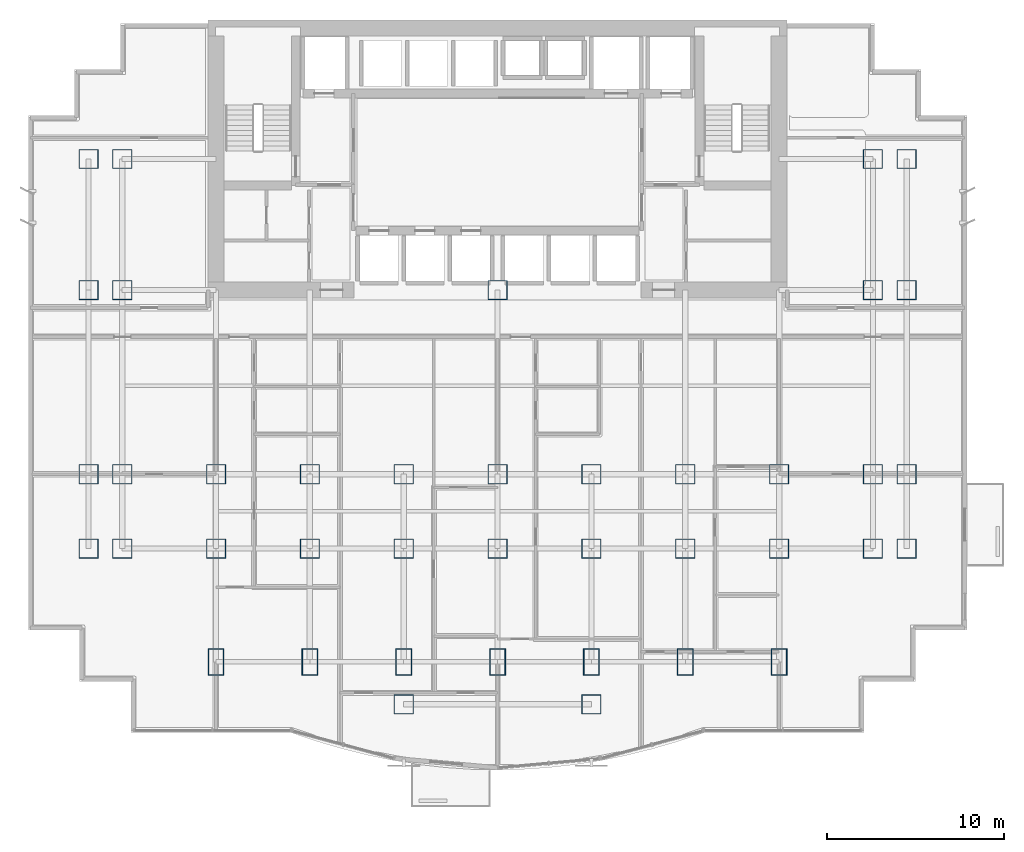
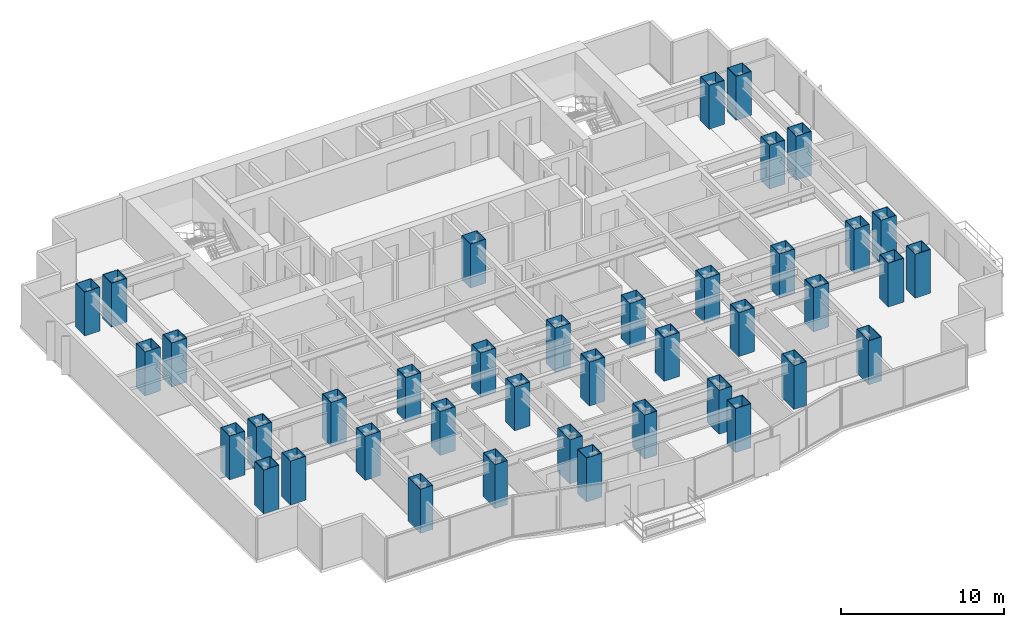
# One storey, part 1 of 10: 40 columns.
"""IFC4 building model written with IfcOpenShell, lengths in metres."""

from ifc_helpers import new_model, si_unit, direction, frame, origin, origin_2d, place, context, subcontext, project, spatial, hollow_rectangle, extrude, material, material_profile, profile_set, type_object, element, save


model = new_model("IFC4")

# Units and contexts
model_context = context("Model", 3, precision=1e-05, world=origin(), true_north=direction((0.0, 1.0)))
body_context = subcontext(model_context, "Body", "Model", "MODEL_VIEW")
ifc_project = project(units=[si_unit("LENGTHUNIT", "METRE"), si_unit("AREAUNIT", "SQUARE_METRE"), si_unit("VOLUMEUNIT", "CUBIC_METRE"), si_unit("PLANEANGLEUNIT", "RADIAN"), si_unit("MASSUNIT", "GRAM", prefix="KILO")], contexts=[model_context])

# Site, building, storey
site_placement = place(None, origin())
site = spatial("IfcSite", under=ifc_project, at=site_placement, CompositionType="ELEMENT")
building_placement = place(site_placement, origin())
building = spatial("IfcBuilding", under=site, at=building_placement, Name="Qianlan Lanfeng Residences", CompositionType="ELEMENT")
storey_placement = place(building_placement, frame((0.0, 0.0, 50.60009765625)))
storey = spatial("IfcBuildingStorey", under=building, at=storey_placement, Name="L13", CompositionType="ELEMENT", Elevation=50.60009765625)

# Columns
ifc_material = material(Name="Steel SN490B", Category="steel")
ifc_material_profile_1 = material_profile(ifc_material, hollow_rectangle(XDim=1.10009765625, YDim=1.10009765625, WallThickness=0.035888671875, at=origin_2d()), Name="BOX 1100x1100x36")
ifc_profile_set_1 = profile_set([ifc_material_profile_1], Name="Steel SN490B")
column_type_1 = type_object("IfcColumnType", Name="C-B1300", PredefinedType="COLUMN", material=ifc_profile_set_1)
for number, where, z_axis, x_axis, name in (
    (1, (26.5, 25.199951171875, 0.0), (0.0, 0.0, 1.0), (1.0, 0.0, 0.0), "L13 Structural Column CP_26.5_25.2"),
    (2, (10.60009765625, 14.800048828125, 0.0), (0.0, 0.0, 1.0), (1.0, 0.0, 0.0), "L13 Structural Column M_10.60_14.80"),
    (3, (10.60009765625, 10.60009765625, 0.0), (0.0, 0.0, 1.0), (1.0, 0.0, 0.0), "L13 Structural Column G_10.60_10.60"),
    (4, (15.89990234375, 14.800048828125, 0.0), (0.0, 0.0, 1.0), (1.0, 0.0, 0.0), "L13 Structural Column M_15.90_14.80"),
    (5, (15.89990234375, 10.60009765625, 0.0), (0.0, 0.0, 1.0), (1.0, 0.0, 0.0), "L13 Structural Column G_15.90_10.60"),
    (6, (21.199951171875, 14.800048828125, 0.0), (0.0, 0.0, 1.0), (1.0, 0.0, 0.0), "L13 Structural Column M_21.20_14.80"),
    (7, (21.199951171875, 10.60009765625, 0.0), (0.0, 0.0, 1.0), (1.0, 0.0, 0.0), "L13 Structural Column G_21.20_10.60"),
    (8, (26.5, 14.800048828125, 0.0), (0.0, 0.0, 1.0), (1.0, 0.0, 0.0), "L13 Structural Column M_26.50_14.80"),
    (9, (26.5, 10.60009765625, 0.0), (0.0, 0.0, 1.0), (1.0, 0.0, 0.0), "L13 Structural Column G_26.50_10.60"),
    (10, (31.800048828125, 14.800048828125, 0.0), (0.0, 0.0, 1.0), (1.0, 0.0, 0.0), "L13 Structural Column M_31.80_14.80"),
    (11, (31.800048828125, 10.60009765625, 0.0), (0.0, 0.0, 1.0), (1.0, 0.0, 0.0), "L13 Structural Column G_31.80_10.60"),
    (12, (37.10009765625, 14.800048828125, 0.0), (0.0, 0.0, 1.0), (1.0, 0.0, 0.0), "L13 Structural Column M_37.10_14.80"),
    (13, (37.10009765625, 10.60009765625, 0.0), (0.0, 0.0, 1.0), (1.0, 0.0, 0.0), "L13 Structural Column G_37.10_10.60"),
    (14, (42.39990234375, 14.800048828125, 0.0), (0.0, 0.0, 1.0), (1.0, 0.0, 0.0), "L13 Structural Column M_42.40_14.80"),
    (15, (42.39990234375, 10.60009765625, 0.0), (0.0, 0.0, 1.0), (1.0, 0.0, 0.0), "L13 Structural Column G_42.40_10.60"),
    (16, (21.199951171875, 1.800048828125, 0.0), (0.0, 0.0, 1.0), (1.0, 0.0, 0.0), "L13 Structural Column P_21.20_1.80"),
    (17, (31.800048828125, 1.800048828125, 0.0), (0.0, 0.0, 1.0), (1.0, 0.0, 0.0), "L13 Structural Column P_31.80_1.80"),
    (18, (3.39990234375, 10.60009765625, 0.0), (0.0, 0.0, 1.0), (1.0, 0.0, 0.0), "L13 Structural Column W_3.40_10.60"),
    (19, (3.39990234375, 14.800048828125, 0.0), (0.0, 0.0, 1.0), (1.0, 0.0, 0.0), "L13 Structural Column W_3.40_14.80"),
    (20, (3.39990234375, 25.199951171875, 0.0), (0.0, 0.0, 1.0), (1.0, 0.0, 0.0), "L13 Structural Column W_3.40_25.20"),
    (21, (3.39990234375, 32.60009765625, 0.0), (0.0, 0.0, 1.0), (1.0, 0.0, 0.0), "L13 Structural Column W_3.40_32.60"),
    (22, (5.300048828125, 10.60009765625, 0.0), (0.0, 0.0, 1.0), (1.0, 0.0, 0.0), "L13 Structural Column W_5.30_10.60"),
    (23, (5.300048828125, 14.800048828125, 0.0), (0.0, 0.0, 1.0), (1.0, 0.0, 0.0), "L13 Structural Column W_5.30_14.80"),
    (24, (5.300048828125, 25.199951171875, 0.0), (0.0, 0.0, 1.0), (1.0, 0.0, 0.0), "L13 Structural Column W_5.30_25.20"),
    (25, (5.300048828125, 32.60009765625, 0.0), (0.0, 0.0, 1.0), (1.0, 0.0, 0.0), "L13 Structural Column W_5.30_32.60"),
    (26, (47.699951171875, 10.60009765625, 0.0), (0.0, 0.0, 1.0), (1.0, 0.0, 0.0), "L13 Structural Column W_47.70_10.60"),
    (27, (47.699951171875, 14.800048828125, 0.0), (0.0, 0.0, 1.0), (1.0, 0.0, 0.0), "L13 Structural Column W_47.70_14.80"),
    (28, (47.699951171875, 25.199951171875, 0.0), (0.0, 0.0, 1.0), (1.0, 0.0, 0.0), "L13 Structural Column W_47.70_25.20"),
    (29, (47.699951171875, 32.60009765625, 0.0), (0.0, 0.0, 1.0), (1.0, 0.0, 0.0), "L13 Structural Column W_47.70_32.60"),
    (30, (49.60009765625, 10.60009765625, 0.0), (0.0, 0.0, 1.0), (1.0, 0.0, 0.0), "L13 Structural Column W_49.60_10.60"),
    (31, (49.60009765625, 14.800048828125, 0.0), (0.0, 0.0, 1.0), (1.0, 0.0, 0.0), "L13 Structural Column W_49.60_14.80"),
    (32, (49.60009765625, 25.199951171875, 0.0), (0.0, 0.0, 1.0), (1.0, 0.0, 0.0), "L13 Structural Column W_49.60_25.20"),
    (33, (49.60009765625, 32.60009765625, 0.0), (0.0, 0.0, 1.0), (1.0, 0.0, 0.0), "L13 Structural Column W_49.60_32.60"),
):
    element("IfcColumn", number, at=place(storey_placement, frame(where, z_axis=z_axis, x_axis=x_axis)), inside=storey, type_object=column_type_1, Name=name, PredefinedType="COLUMN", context=body_context, shape_type="SweptSolid", body=[
        extrude(hollow_rectangle(XDim=1.10009765625, YDim=1.10009765625, WallThickness=0.035888671875, at=origin_2d()), origin(), (0.0, 0.0, 1.0), 3.2998046875),
    ])
ifc_material_profile_2 = material_profile(ifc_material, hollow_rectangle(XDim=0.89990234375, YDim=1.5, WallThickness=0.035888671875, at=origin_2d()), Name="BOX 1500x900x36")
ifc_profile_set_2 = profile_set([ifc_material_profile_2], Name="Steel SN490B")
column_type_2 = type_object("IfcColumnType", Name="CE-B1250", PredefinedType="COLUMN", material=ifc_profile_set_2)
for number, where, z_axis, x_axis, name in (
    (34, (10.60009765625, 4.199951171875, 0.0), (0.0, 0.0, 1.0), (1.0, 0.0, 0.0), "L13 Structural Column S_10.60_4.20"),
    (35, (15.89990234375, 4.199951171875, 0.0), (0.0, 0.0, 1.0), (1.0, 0.0, 0.0), "L13 Structural Column S_15.90_4.20"),
    (36, (21.199951171875, 4.199951171875, 0.0), (0.0, 0.0, 1.0), (1.0, 0.0, 0.0), "L13 Structural Column S_21.20_4.20"),
    (37, (26.5, 4.199951171875, 0.0), (0.0, 0.0, 1.0), (1.0, 0.0, 0.0), "L13 Structural Column S_26.50_4.20"),
    (38, (31.800048828125, 4.199951171875, 0.0), (0.0, 0.0, 1.0), (1.0, 0.0, 0.0), "L13 Structural Column S_31.80_4.20"),
    (39, (37.10009765625, 4.199951171875, 0.0), (0.0, 0.0, 1.0), (1.0, 0.0, 0.0), "L13 Structural Column S_37.10_4.20"),
    (40, (42.39990234375, 4.199951171875, 0.0), (0.0, 0.0, 1.0), (1.0, 0.0, 0.0), "L13 Structural Column S_42.40_4.20"),
):
    element("IfcColumn", number, at=place(storey_placement, frame(where, z_axis=z_axis, x_axis=x_axis)), inside=storey, type_object=column_type_2, Name=name, PredefinedType="COLUMN", context=body_context, shape_type="SweptSolid", body=[
        extrude(hollow_rectangle(XDim=0.89990234375, YDim=1.5, WallThickness=0.035888671875, at=origin_2d()), origin(), (0.0, 0.0, 1.0), 3.2998046875),
    ])

save(model, "model.ifc")
